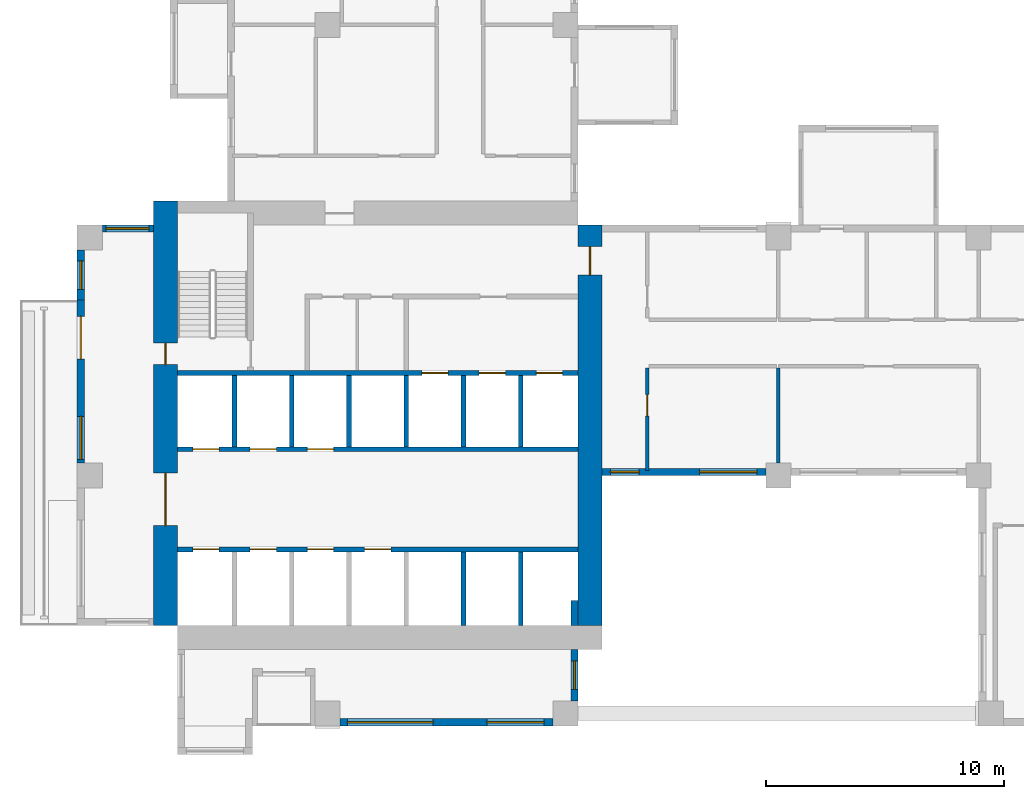
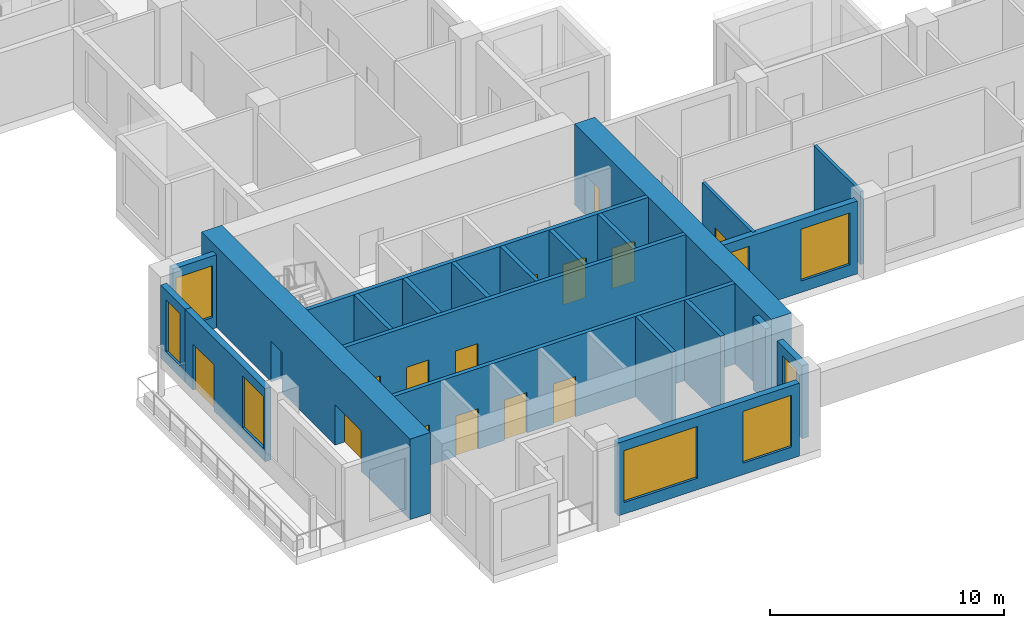
# One storey, part 2 of 14: 22 walls, 15 doors, 8 windows, 23 openings.
"""IFC4 building model written with IfcOpenShell, lengths in metres."""

from ifc_helpers import new_model, si_unit, direction, frame, frame_2d, origin, place, context, subcontext, project, spatial, rectangle, extrude, source, transform, mapped, material, layer, layer_set, type_object, element, fill, save


model = new_model("IFC4")

# Units and contexts
model_context = context("Model", 3, precision=1e-05, world=origin(), true_north=direction((0.0, 1.0)))
body_context = subcontext(model_context, "Body", "Model", "MODEL_VIEW")
ifc_project = project(units=[si_unit("LENGTHUNIT", "METRE"), si_unit("AREAUNIT", "SQUARE_METRE"), si_unit("VOLUMEUNIT", "CUBIC_METRE"), si_unit("PLANEANGLEUNIT", "RADIAN"), si_unit("MASSUNIT", "GRAM", prefix="KILO")], contexts=[model_context])

# Site, building, storey
site_placement = place(None, origin())
site = spatial("IfcSite", under=ifc_project, at=site_placement, CompositionType="ELEMENT")
building_placement = place(site_placement, origin())
building = spatial("IfcBuilding", under=site, at=building_placement, Name="Aurelian Terraces", CompositionType="ELEMENT")
storey_placement = place(building_placement, frame((0.0, 0.0, 153.9)))
storey = spatial("IfcBuildingStorey", under=building, at=storey_placement, Name="L34", CompositionType="ELEMENT", Elevation=153.9)

# Wall, openings, doors
ifc_material_1 = material(Name="Concrete fc' 83 MPa", Category="concrete")
ifc_layer_1 = layer(ifc_material_1, 1.0)
ifc_layer_set_1 = layer_set([ifc_layer_1], Name="CORE WALL 1000 FC83")
wall_type_1 = type_object("IfcWallType", Name="CORE WALL 1000 FC83", PredefinedType="SHEAR", material=ifc_layer_set_1)
shared_shape_1 = source(origin(), body_context, "Body", "SweptSolid", [
    extrude(rectangle(XDim=17.8, YDim=1.0, at=frame_2d((8.9, 0.0))), origin(), (0.0, 0.0, 1.0), 4.2),
])
wall_1_placement = place(storey_placement, frame((3.7, 4.2, 0.0), z_axis=(0.0, 0.0, 1.0), x_axis=(0.0, 1.0, 0.0)))
wall_1 = element("IfcWall", 1, at=wall_1_placement, inside=storey, type_object=wall_type_1, Name="Core wall W L34", PredefinedType="SHEAR", context=body_context, shape_type="MappedRepresentation", body=[
    mapped(shared_shape_1, transform((0.0, 0.0, 0.0), scale=1.0)),
])
shared_shape_2 = source(origin(), body_context, "Body", "SweptSolid", [
    extrude(rectangle(XDim=2.2, YDim=2.1, at=frame_2d((1.1, 1.05))), frame((0.0, 0.51, 0.0), z_axis=(0.0, -1.0, 0.0), x_axis=(1.0, 0.0, 0.0)), (0.0, 0.0, 1.0), 1.02),
])
opening_1_placement = place(wall_1_placement, frame((4.2, 0.0, 0.0)))
opening_1 = element("IfcOpeningElement", 2, at=opening_1_placement, cuts=wall_1, Name="Opening 63720", PredefinedType="OPENING", context=body_context, shape_type="MappedRepresentation", body=[
    mapped(shared_shape_2, transform((0.0, 0.0, 0.0), scale=1.0)),
])
shared_shape_3 = source(origin(), body_context, "Body", "SweptSolid", [
    extrude(rectangle(XDim=0.9, YDim=2.1, at=frame_2d((0.45, 1.05))), frame((0.0, 0.51, 0.0), z_axis=(0.0, -1.0, 0.0), x_axis=(1.0, 0.0, 0.0)), (0.0, 0.0, 1.0), 1.02),
])
opening_2_placement = place(wall_1_placement, frame((10.95, 0.0, 0.0)))
opening_2 = element("IfcOpeningElement", 3, at=opening_2_placement, cuts=wall_1, Name="Opening 63723", PredefinedType="OPENING", context=body_context, shape_type="MappedRepresentation", body=[
    mapped(shared_shape_3, transform((0.0, 0.0, 0.0), scale=1.0)),
])
ifc_material_2 = material(Name="Steel door leaf", Category="steel")
door_type_1 = type_object("IfcDoorType", Name="Core service door 900x2100", OperationType="SINGLE_SWING_LEFT", PredefinedType="DOOR", material=ifc_material_2)
shared_shape_4 = source(origin(), body_context, "Body", "SweptSolid", [
    extrude(rectangle(XDim=0.9, YDim=2.1, at=frame_2d((0.45, 1.05))), frame((0.0, 0.025, 0.0), z_axis=(0.0, -1.0, 0.0), x_axis=(1.0, 0.0, 0.0)), (0.0, 0.0, 1.0), 0.05),
])
door_1_placement = place(opening_2_placement, origin())
door_1 = element("IfcDoor", 4, at=door_1_placement, inside=storey, type_object=door_type_1, Name="Core door 63723", OperationType="SINGLE_SWING_LEFT", OverallHeight=2.1, OverallWidth=0.9, PredefinedType="DOOR", context=body_context, shape_type="MappedRepresentation", body=[
    mapped(shared_shape_4, transform((0.0, 0.0, 0.0), scale=1.0)),
])
fill(opening_2, door_1)
door_type_2 = type_object("IfcDoorType", Name="Core double door 2200x2100", OperationType="DOUBLE_DOOR_SINGLE_SWING", PredefinedType="DOOR", material=ifc_material_2)
shared_shape_5 = source(origin(), body_context, "Body", "SweptSolid", [
    extrude(rectangle(XDim=2.2, YDim=2.1, at=frame_2d((1.1, 1.05))), frame((0.0, 0.025, 0.0), z_axis=(0.0, -1.0, 0.0), x_axis=(1.0, 0.0, 0.0)), (0.0, 0.0, 1.0), 0.05),
])
door_2_placement = place(opening_1_placement, origin())
door_2 = element("IfcDoor", 5, at=door_2_placement, inside=storey, type_object=door_type_2, Name="Core door 63720", OperationType="DOUBLE_DOOR_SINGLE_SWING", OverallHeight=2.1, OverallWidth=2.2, PredefinedType="DOOR", context=body_context, shape_type="MappedRepresentation", body=[
    mapped(shared_shape_5, transform((0.0, 0.0, 0.0), scale=1.0)),
])
fill(opening_1, door_2)

# Wall, opening, door
shared_shape_6 = source(origin(), body_context, "Body", "SweptSolid", [
    extrude(rectangle(XDim=16.8, YDim=1.0, at=frame_2d((8.4, 0.0))), origin(), (0.0, 0.0, 1.0), 4.2),
])
wall_2_placement = place(storey_placement, frame((21.5, 4.2, 0.0), z_axis=(0.0, 0.0, 1.0), x_axis=(0.0, 1.0, 0.0)))
wall_2 = element("IfcWall", 6, at=wall_2_placement, inside=storey, type_object=wall_type_1, Name="Core wall E L34", PredefinedType="SHEAR", context=body_context, shape_type="MappedRepresentation", body=[
    mapped(shared_shape_6, transform((0.0, 0.0, 0.0), scale=1.0)),
])
shared_shape_7 = source(origin(), body_context, "Body", "SweptSolid", [
    extrude(rectangle(XDim=1.2, YDim=2.1, at=frame_2d((0.6, 1.05))), frame((0.0, 0.51, 0.0), z_axis=(0.0, -1.0, 0.0), x_axis=(1.0, 0.0, 0.0)), (0.0, 0.0, 1.0), 1.02),
])
opening_3_placement = place(wall_2_placement, frame((14.7, 0.0, 0.0)))
opening_3 = element("IfcOpeningElement", 7, at=opening_3_placement, cuts=wall_2, Name="Opening 63722", PredefinedType="OPENING", context=body_context, shape_type="MappedRepresentation", body=[
    mapped(shared_shape_7, transform((0.0, 0.0, 0.0), scale=1.0)),
])
door_type_3 = type_object("IfcDoorType", Name="Core fire door 1200x2100 right", OperationType="SINGLE_SWING_RIGHT", PredefinedType="DOOR", material=ifc_material_2)
shared_shape_8 = source(origin(), body_context, "Body", "SweptSolid", [
    extrude(rectangle(XDim=1.2, YDim=2.1, at=frame_2d((0.6, 1.05))), frame((0.0, 0.025, 0.0), z_axis=(0.0, -1.0, 0.0), x_axis=(1.0, 0.0, 0.0)), (0.0, 0.0, 1.0), 0.05),
])
door_3_placement = place(opening_3_placement, origin())
door_3 = element("IfcDoor", 8, at=door_3_placement, inside=storey, type_object=door_type_3, Name="Core door 63722", OperationType="SINGLE_SWING_RIGHT", OverallHeight=2.1, OverallWidth=1.2, PredefinedType="DOOR", context=body_context, shape_type="MappedRepresentation", body=[
    mapped(shared_shape_8, transform((0.0, 0.0, 0.0), scale=1.0)),
])
fill(opening_3, door_3)

# Wall
ifc_material_3 = material(Name="Terracotta rainscreen cladding", Category="masonry")
ifc_layer_2 = layer(ifc_material_3, 0.3)
ifc_layer_set_2 = layer_set([ifc_layer_2], Name="EW-300")
wall_type_2 = type_object("IfcWallType", Name="EW-300", PredefinedType="STANDARD", material=ifc_layer_set_2)
shared_shape_9 = source(origin(), body_context, "Body", "SweptSolid", [
    extrude(rectangle(XDim=1.05, YDim=0.3, at=frame_2d((0.525, 0.0))), origin(), (0.0, 0.0, 1.0), 3.8),
])
wall_3_placement = place(storey_placement, frame((20.85, 4.2, 0.0), z_axis=(0.0, 0.0, 1.0), x_axis=(0.0, 1.0, 0.0)))
element("IfcWall", 9, at=wall_3_placement, inside=storey, type_object=wall_type_2, Name="External wall L34 F02.4", PredefinedType="STANDARD", context=body_context, shape_type="MappedRepresentation", body=[
    mapped(shared_shape_9, transform((0.0, 0.0, 0.0), scale=1.0)),
])

# Wall, openings, windows
shared_shape_10 = source(origin(), body_context, "Body", "SweptSolid", [
    extrude(rectangle(XDim=8.925, YDim=0.3, at=frame_2d((4.4625, 0.0))), origin(), (0.0, 0.0, 1.0), 3.8),
])
wall_4_placement = place(storey_placement, frame((11.025, 0.15, 0.0), z_axis=(0.0, 0.0, 1.0), x_axis=(1.0, 0.0, 0.0)))
wall_4 = element("IfcWall", 10, at=wall_4_placement, inside=storey, type_object=wall_type_2, Name="External wall L34 F01.3", PredefinedType="STANDARD", context=body_context, shape_type="MappedRepresentation", body=[
    mapped(shared_shape_10, transform((0.0, 0.0, 0.0), scale=1.0)),
])
shared_shape_11 = source(origin(), body_context, "Body", "SweptSolid", [
    extrude(rectangle(XDim=3.6, YDim=2.7, at=frame_2d((1.8, 1.35))), frame((0.0, 0.16, 0.0), z_axis=(0.0, -1.0, 0.0), x_axis=(1.0, 0.0, 0.0)), (0.0, 0.0, 1.0), 0.32),
])
opening_4_placement = place(wall_4_placement, frame((0.3, 0.0, 0.6)))
opening_4 = element("IfcOpeningElement", 11, at=opening_4_placement, cuts=wall_4, Name="Opening W3627", PredefinedType="OPENING", context=body_context, shape_type="MappedRepresentation", body=[
    mapped(shared_shape_11, transform((0.0, 0.0, 0.0), scale=1.0)),
])
shared_shape_12 = source(origin(), body_context, "Body", "SweptSolid", [
    extrude(rectangle(XDim=2.4, YDim=2.7, at=frame_2d((1.2, 1.35))), frame((0.0, 0.16, 0.0), z_axis=(0.0, -1.0, 0.0), x_axis=(1.0, 0.0, 0.0)), (0.0, 0.0, 1.0), 0.32),
])
opening_5_placement = place(wall_4_placement, frame((6.15, 0.0, 0.6)))
opening_5 = element("IfcOpeningElement", 12, at=opening_5_placement, cuts=wall_4, Name="Opening W2427", PredefinedType="OPENING", context=body_context, shape_type="MappedRepresentation", body=[
    mapped(shared_shape_12, transform((0.0, 0.0, 0.0), scale=1.0)),
])
ifc_material_4 = material(Name="Clear glazing", Category="glass")
window_type_1 = type_object("IfcWindowType", Name="W-3600x2700", PartitioningType="SINGLE_PANEL", PredefinedType="WINDOW", material=ifc_material_4)
shared_shape_13 = source(origin(), body_context, "Body", "SweptSolid", [
    extrude(rectangle(XDim=3.6, YDim=2.7, at=frame_2d((1.8, 1.35))), frame((0.0, 0.03, 0.0), z_axis=(0.0, -1.0, 0.0), x_axis=(1.0, 0.0, 0.0)), (0.0, 0.0, 1.0), 0.06),
])
window_1_placement = place(opening_4_placement, origin())
window_1 = element("IfcWindow", 13, at=window_1_placement, inside=storey, type_object=window_type_1, Name="Window L34 L34-F01-03-0", OverallHeight=2.7, OverallWidth=3.6, PartitioningType="SINGLE_PANEL", PredefinedType="WINDOW", context=body_context, shape_type="MappedRepresentation", body=[
    mapped(shared_shape_13, transform((0.0, 0.0, 0.0), scale=1.0)),
])
fill(opening_4, window_1)
window_type_2 = type_object("IfcWindowType", Name="W-2400x2700", PartitioningType="SINGLE_PANEL", PredefinedType="WINDOW", material=ifc_material_4)
shared_shape_14 = source(origin(), body_context, "Body", "SweptSolid", [
    extrude(rectangle(XDim=2.4, YDim=2.7, at=frame_2d((1.2, 1.35))), frame((0.0, 0.03, 0.0), z_axis=(0.0, -1.0, 0.0), x_axis=(1.0, 0.0, 0.0)), (0.0, 0.0, 1.0), 0.06),
])
window_2_placement = place(opening_5_placement, origin())
window_2 = element("IfcWindow", 14, at=window_2_placement, inside=storey, type_object=window_type_2, Name="Window L34 L34-F01-03-1", OverallHeight=2.7, OverallWidth=2.4, PartitioningType="SINGLE_PANEL", PredefinedType="WINDOW", context=body_context, shape_type="MappedRepresentation", body=[
    mapped(shared_shape_14, transform((0.0, 0.0, 0.0), scale=1.0)),
])
fill(opening_5, window_2)

shared_shape_15 = source(origin(), body_context, "Body", "SweptSolid", [
    extrude(rectangle(XDim=6.875, YDim=0.3, at=frame_2d((3.4375, 0.0))), origin(), (0.0, 0.0, 1.0), 3.8),
])
wall_5_placement = place(storey_placement, frame((22.0, 10.65, 0.0), z_axis=(0.0, 0.0, 1.0), x_axis=(1.0, 0.0, 0.0)))
wall_5 = element("IfcWall", 15, at=wall_5_placement, inside=storey, type_object=wall_type_2, Name="External wall L34 F03.6", PredefinedType="STANDARD", context=body_context, shape_type="MappedRepresentation", body=[
    mapped(shared_shape_15, transform((0.0, 0.0, 0.0), scale=1.0)),
])
shared_shape_16 = source(origin(), body_context, "Body", "SweptSolid", [
    extrude(rectangle(XDim=1.2, YDim=2.7, at=frame_2d((0.6, 1.35))), frame((0.0, 0.16, 0.0), z_axis=(0.0, -1.0, 0.0), x_axis=(1.0, 0.0, 0.0)), (0.0, 0.0, 1.0), 0.32),
])
opening_6_placement = place(wall_5_placement, frame((0.3625, 0.0, 0.6)))
opening_6 = element("IfcOpeningElement", 16, at=opening_6_placement, cuts=wall_5, Name="Opening W1227", PredefinedType="OPENING", context=body_context, shape_type="MappedRepresentation", body=[
    mapped(shared_shape_16, transform((0.0, 0.0, 0.0), scale=1.0)),
])
opening_7_placement = place(wall_5_placement, frame((4.1, 0.0, 0.6)))
opening_7 = element("IfcOpeningElement", 17, at=opening_7_placement, cuts=wall_5, Name="Opening W2427", PredefinedType="OPENING", context=body_context, shape_type="MappedRepresentation", body=[
    mapped(shared_shape_12, transform((0.0, 0.0, 0.0), scale=1.0)),
])
window_3_placement = place(opening_7_placement, origin())
window_3 = element("IfcWindow", 18, at=window_3_placement, inside=storey, type_object=window_type_2, Name="Window L34 L34-F03-06-1", OverallHeight=2.7, OverallWidth=2.4, PartitioningType="SINGLE_PANEL", PredefinedType="WINDOW", context=body_context, shape_type="MappedRepresentation", body=[
    mapped(shared_shape_14, transform((0.0, 0.0, 0.0), scale=1.0)),
])
fill(opening_7, window_3)
window_type_3 = type_object("IfcWindowType", Name="W-1200x2700", PartitioningType="SINGLE_PANEL", PredefinedType="WINDOW", material=ifc_material_4)
shared_shape_17 = source(origin(), body_context, "Body", "SweptSolid", [
    extrude(rectangle(XDim=1.2, YDim=2.7, at=frame_2d((0.6, 1.35))), frame((0.0, 0.03, 0.0), z_axis=(0.0, -1.0, 0.0), x_axis=(1.0, 0.0, 0.0)), (0.0, 0.0, 1.0), 0.06),
])
window_4_placement = place(opening_6_placement, origin())
window_4 = element("IfcWindow", 19, at=window_4_placement, inside=storey, type_object=window_type_3, Name="Window L34 L34-F03-06-0", OverallHeight=2.7, OverallWidth=1.2, PartitioningType="SINGLE_PANEL", PredefinedType="WINDOW", context=body_context, shape_type="MappedRepresentation", body=[
    mapped(shared_shape_17, transform((0.0, 0.0, 0.0), scale=1.0)),
])
fill(opening_6, window_4)

# Wall, opening, window
shared_shape_18 = source(origin(), body_context, "Body", "SweptSolid", [
    extrude(rectangle(XDim=2.15, YDim=0.3, at=frame_2d((1.075, 0.0))), origin(), (0.0, 0.0, 1.0), 3.8),
])
wall_6_placement = place(storey_placement, frame((20.85, 1.05, 0.0), z_axis=(0.0, 0.0, 1.0), x_axis=(0.0, 1.0, 0.0)))
wall_6 = element("IfcWall", 20, at=wall_6_placement, inside=storey, type_object=wall_type_2, Name="External wall L34 F02.4", PredefinedType="STANDARD", context=body_context, shape_type="MappedRepresentation", body=[
    mapped(shared_shape_18, transform((0.0, 0.0, 0.0), scale=1.0)),
])
opening_8_placement = place(wall_6_placement, frame((0.475, 0.0, 0.6)))
opening_8 = element("IfcOpeningElement", 21, at=opening_8_placement, cuts=wall_6, Name="Opening W1227", PredefinedType="OPENING", context=body_context, shape_type="MappedRepresentation", body=[
    mapped(shared_shape_16, transform((0.0, 0.0, 0.0), scale=1.0)),
])
window_5_placement = place(opening_8_placement, origin())
window_5 = element("IfcWindow", 22, at=window_5_placement, inside=storey, type_object=window_type_3, Name="Window L34 L34-F02-04-P0", OverallHeight=2.7, OverallWidth=1.2, PartitioningType="SINGLE_PANEL", PredefinedType="WINDOW", context=body_context, shape_type="MappedRepresentation", body=[
    mapped(shared_shape_17, transform((0.0, 0.0, 0.0), scale=1.0)),
])
fill(opening_8, window_5)

wall_7_placement = place(storey_placement, frame((3.2, 20.85, 0.0), z_axis=(0.0, 0.0, 1.0), x_axis=(-1.0, 0.0, 0.0)))
wall_7 = element("IfcWall", 23, at=wall_7_placement, inside=storey, type_object=wall_type_2, Name="External wall L34 F23.41", PredefinedType="STANDARD", context=body_context, shape_type="MappedRepresentation", body=[
    mapped(shared_shape_18, transform((0.0, 0.0, 0.0), scale=1.0)),
])
shared_shape_19 = source(origin(), body_context, "Body", "SweptSolid", [
    extrude(rectangle(XDim=1.8, YDim=2.7, at=frame_2d((0.9, 1.35))), frame((0.0, 0.16, 0.0), z_axis=(0.0, -1.0, 0.0), x_axis=(1.0, 0.0, 0.0)), (0.0, 0.0, 1.0), 0.32),
])
opening_9_placement = place(wall_7_placement, frame((0.2, 0.0, 0.6)))
opening_9 = element("IfcOpeningElement", 24, at=opening_9_placement, cuts=wall_7, Name="Opening W1827", PredefinedType="OPENING", context=body_context, shape_type="MappedRepresentation", body=[
    mapped(shared_shape_19, transform((0.0, 0.0, 0.0), scale=1.0)),
])
window_type_4 = type_object("IfcWindowType", Name="W-1800x2700", PartitioningType="SINGLE_PANEL", PredefinedType="WINDOW", material=ifc_material_4)
shared_shape_20 = source(origin(), body_context, "Body", "SweptSolid", [
    extrude(rectangle(XDim=1.8, YDim=2.7, at=frame_2d((0.9, 1.35))), frame((0.0, 0.03, 0.0), z_axis=(0.0, -1.0, 0.0), x_axis=(1.0, 0.0, 0.0)), (0.0, 0.0, 1.0), 0.06),
])
window_6_placement = place(opening_9_placement, origin())
window_6 = element("IfcWindow", 25, at=window_6_placement, inside=storey, type_object=window_type_4, Name="Window L34 L34-F23-41-0", OverallHeight=2.7, OverallWidth=1.8, PartitioningType="SINGLE_PANEL", PredefinedType="WINDOW", context=body_context, shape_type="MappedRepresentation", body=[
    mapped(shared_shape_20, transform((0.0, 0.0, 0.0), scale=1.0)),
])
fill(opening_9, window_6)

shared_shape_21 = source(origin(), body_context, "Body", "SweptSolid", [
    extrude(rectangle(XDim=2.1, YDim=0.3, at=frame_2d((1.05, 0.0))), origin(), (0.0, 0.0, 1.0), 3.8),
])
wall_8_placement = place(storey_placement, frame((0.15, 19.95, 0.0), z_axis=(0.0, 0.0, 1.0), x_axis=(0.0, -1.0, 0.0)))
wall_8 = element("IfcWall", 26, at=wall_8_placement, inside=storey, type_object=wall_type_2, Name="External wall L34 F24.42", PredefinedType="STANDARD", context=body_context, shape_type="MappedRepresentation", body=[
    mapped(shared_shape_21, transform((0.0, 0.0, 0.0), scale=1.0)),
])
opening_10_placement = place(wall_8_placement, frame((0.45, 0.0, 0.6)))
opening_10 = element("IfcOpeningElement", 27, at=opening_10_placement, cuts=wall_8, Name="Opening W1227", PredefinedType="OPENING", context=body_context, shape_type="MappedRepresentation", body=[
    mapped(shared_shape_16, transform((0.0, 0.0, 0.0), scale=1.0)),
])
window_7_placement = place(opening_10_placement, origin())
window_7 = element("IfcWindow", 28, at=window_7_placement, inside=storey, type_object=window_type_3, Name="Window L34 L34-F24-42-P0", OverallHeight=2.7, OverallWidth=1.2, PartitioningType="SINGLE_PANEL", PredefinedType="WINDOW", context=body_context, shape_type="MappedRepresentation", body=[
    mapped(shared_shape_17, transform((0.0, 0.0, 0.0), scale=1.0)),
])
fill(opening_10, window_7)

# Wall, openings, door, window
shared_shape_22 = source(origin(), body_context, "Body", "SweptSolid", [
    extrude(rectangle(XDim=6.825, YDim=0.3, at=frame_2d((3.4125, 0.0))), origin(), (0.0, 0.0, 1.0), 3.8),
])
wall_9_placement = place(storey_placement, frame((0.15, 17.85, 0.0), z_axis=(0.0, 0.0, 1.0), x_axis=(0.0, -1.0, 0.0)))
wall_9 = element("IfcWall", 29, at=wall_9_placement, inside=storey, type_object=wall_type_2, Name="External wall L34 F24.43", PredefinedType="STANDARD", context=body_context, shape_type="MappedRepresentation", body=[
    mapped(shared_shape_22, transform((0.0, 0.0, 0.0), scale=1.0)),
])
shared_shape_23 = source(origin(), body_context, "Body", "SweptSolid", [
    extrude(rectangle(XDim=1.8, YDim=2.4, at=frame_2d((0.9, 1.2))), frame((0.0, 0.16, 0.0), z_axis=(0.0, -1.0, 0.0), x_axis=(1.0, 0.0, 0.0)), (0.0, 0.0, 1.0), 0.32),
])
opening_11_placement = place(wall_9_placement, frame((0.675, 0.0, 0.0)))
opening_11 = element("IfcOpeningElement", 30, at=opening_11_placement, cuts=wall_9, Name="Opening 83403", PredefinedType="OPENING", context=body_context, shape_type="MappedRepresentation", body=[
    mapped(shared_shape_23, transform((0.0, 0.0, 0.0), scale=1.0)),
])
opening_12_placement = place(wall_9_placement, frame((4.875, 0.0, 0.6)))
opening_12 = element("IfcOpeningElement", 31, at=opening_12_placement, cuts=wall_9, Name="Opening W1827", PredefinedType="OPENING", context=body_context, shape_type="MappedRepresentation", body=[
    mapped(shared_shape_19, transform((0.0, 0.0, 0.0), scale=1.0)),
])
door_type_4 = type_object("IfcDoorType", Name="BD-1800x2400", OperationType="SLIDING_TO_LEFT", PredefinedType="DOOR", material=ifc_material_4)
shared_shape_24 = source(origin(), body_context, "Body", "SweptSolid", [
    extrude(rectangle(XDim=1.8, YDim=2.4, at=frame_2d((0.9, 1.2))), frame((0.0, 0.025, 0.0), z_axis=(0.0, -1.0, 0.0), x_axis=(1.0, 0.0, 0.0)), (0.0, 0.0, 1.0), 0.05),
])
door_4_placement = place(opening_11_placement, origin())
door_4 = element("IfcDoor", 32, at=door_4_placement, inside=storey, type_object=door_type_4, Name="Balcony door L34 F24.43", OperationType="SLIDING_TO_LEFT", OverallHeight=2.4, OverallWidth=1.8, PredefinedType="DOOR", context=body_context, shape_type="MappedRepresentation", body=[
    mapped(shared_shape_24, transform((0.0, 0.0, 0.0), scale=1.0)),
])
fill(opening_11, door_4)
window_8_placement = place(opening_12_placement, origin())
window_8 = element("IfcWindow", 33, at=window_8_placement, inside=storey, type_object=window_type_4, Name="Window L34 L34-F24-43-1", OverallHeight=2.7, OverallWidth=1.8, PartitioningType="SINGLE_PANEL", PredefinedType="WINDOW", context=body_context, shape_type="MappedRepresentation", body=[
    mapped(shared_shape_20, transform((0.0, 0.0, 0.0), scale=1.0)),
])
fill(opening_12, window_8)

# Walls
ifc_material_5 = material(Name="Concrete fc' 40 MPa", Category="concrete")
ifc_layer_3 = layer(ifc_material_5, 0.2)
ifc_layer_set_3 = layer_set([ifc_layer_3], Name="Lift shaft wall 200")
wall_type_3 = type_object("IfcWallType", Name="Lift shaft wall 200", PredefinedType="SOLIDWALL", material=ifc_layer_set_3)
shared_shape_25 = source(origin(), body_context, "Body", "SweptSolid", [
    extrude(rectangle(XDim=3.1, YDim=0.2, at=frame_2d((1.55, 0.0))), origin(), (0.0, 0.0, 1.0), 4.2),
])
for number, where, z_axis, x_axis, name in (
    (34, (16.2, 4.2, 0.0), (0.0, 0.0, 1.0), (0.0, 1.0, 0.0), "L34 core wall CD-A5"),
    (35, (18.6, 4.2, 0.0), (0.0, 0.0, 1.0), (0.0, 1.0, 0.0), "L34 core wall CD-A6"),
):
    element("IfcWall", number, at=place(storey_placement, frame(where, z_axis=z_axis, x_axis=x_axis)), inside=storey, type_object=wall_type_3, Name=name, PredefinedType="SOLIDWALL", context=body_context, shape_type="MappedRepresentation", body=[
        mapped(shared_shape_25, transform((0.0, 0.0, 0.0), scale=1.0)),
    ])
shared_shape_26 = source(origin(), body_context, "Body", "SweptSolid", [
    extrude(rectangle(XDim=3.0, YDim=0.2, at=frame_2d((1.5, 0.0))), origin(), (0.0, 0.0, 1.0), 4.2),
])
for number, where, z_axis, x_axis, name in (
    (36, (6.6, 11.7, 0.0), (0.0, 0.0, 1.0), (0.0, 1.0, 0.0), "L34 core wall CD-B1"),
    (37, (9.0, 11.7, 0.0), (0.0, 0.0, 1.0), (0.0, 1.0, 0.0), "L34 core wall CD-B2"),
    (38, (11.4, 11.7, 0.0), (0.0, 0.0, 1.0), (0.0, 1.0, 0.0), "L34 core wall CD-B3"),
    (39, (13.8, 11.7, 0.0), (0.0, 0.0, 1.0), (0.0, 1.0, 0.0), "L34 core wall CD-B4"),
    (40, (16.2, 11.7, 0.0), (0.0, 0.0, 1.0), (0.0, 1.0, 0.0), "L34 core wall CD-B5"),
    (41, (18.6, 11.7, 0.0), (0.0, 0.0, 1.0), (0.0, 1.0, 0.0), "L34 core wall CD-B6"),
):
    element("IfcWall", number, at=place(storey_placement, frame(where, z_axis=z_axis, x_axis=x_axis)), inside=storey, type_object=wall_type_3, Name=name, PredefinedType="SOLIDWALL", context=body_context, shape_type="MappedRepresentation", body=[
        mapped(shared_shape_26, transform((0.0, 0.0, 0.0), scale=1.0)),
    ])

# Wall, openings, doors
shared_shape_27 = source(origin(), body_context, "Body", "SweptSolid", [
    extrude(rectangle(XDim=16.8, YDim=0.2, at=frame_2d((8.4, 0.0))), origin(), (0.0, 0.0, 1.0), 4.2),
])
wall_10_placement = place(storey_placement, frame((4.2, 7.4, 0.0), z_axis=(0.0, 0.0, 1.0), x_axis=(1.0, 0.0, 0.0)))
wall_10 = element("IfcWall", 42, at=wall_10_placement, inside=storey, type_object=wall_type_3, Name="L34 core wall CF-AF1", PredefinedType="SOLIDWALL", context=body_context, shape_type="MappedRepresentation", body=[
    mapped(shared_shape_27, transform((0.0, 0.0, 0.0), scale=1.0)),
])
shared_shape_28 = source(origin(), body_context, "Body", "SweptSolid", [
    extrude(rectangle(XDim=1.1, YDim=2.1, at=frame_2d((0.55, 1.05))), frame((0.0, 0.11, 0.0), z_axis=(0.0, -1.0, 0.0), x_axis=(1.0, 0.0, 0.0)), (0.0, 0.0, 1.0), 0.22),
])
opening_13_placement = place(wall_10_placement, frame((0.65, 0.0, 0.0)))
opening_13 = element("IfcOpeningElement", 43, at=opening_13_placement, cuts=wall_10, Name="Opening 63700", PredefinedType="OPENING", context=body_context, shape_type="MappedRepresentation", body=[
    mapped(shared_shape_28, transform((0.0, 0.0, 0.0), scale=1.0)),
])
opening_14_placement = place(wall_10_placement, frame((3.05, 0.0, 0.0)))
opening_14 = element("IfcOpeningElement", 44, at=opening_14_placement, cuts=wall_10, Name="Opening 63701", PredefinedType="OPENING", context=body_context, shape_type="MappedRepresentation", body=[
    mapped(shared_shape_28, transform((0.0, 0.0, 0.0), scale=1.0)),
])
opening_15_placement = place(wall_10_placement, frame((5.45, 0.0, 0.0)))
opening_15 = element("IfcOpeningElement", 45, at=opening_15_placement, cuts=wall_10, Name="Opening 63702", PredefinedType="OPENING", context=body_context, shape_type="MappedRepresentation", body=[
    mapped(shared_shape_28, transform((0.0, 0.0, 0.0), scale=1.0)),
])
opening_16_placement = place(wall_10_placement, frame((7.85, 0.0, 0.0)))
opening_16 = element("IfcOpeningElement", 46, at=opening_16_placement, cuts=wall_10, Name="Opening 63703", PredefinedType="OPENING", context=body_context, shape_type="MappedRepresentation", body=[
    mapped(shared_shape_28, transform((0.0, 0.0, 0.0), scale=1.0)),
])
ifc_material_6 = material(Name="Stainless steel", Category="steel")
door_type_5 = type_object("IfcDoorType", Name="Lift landing door 1100x2100", OperationType="SLIDING_TO_LEFT", PredefinedType="DOOR", material=ifc_material_6)
shared_shape_29 = source(origin(), body_context, "Body", "SweptSolid", [
    extrude(rectangle(XDim=1.1, YDim=2.1, at=frame_2d((0.55, 1.05))), frame((0.0, 0.025, 0.0), z_axis=(0.0, -1.0, 0.0), x_axis=(1.0, 0.0, 0.0)), (0.0, 0.0, 1.0), 0.05),
])
door_5_placement = place(opening_13_placement, origin())
door_5 = element("IfcDoor", 47, at=door_5_placement, inside=storey, type_object=door_type_5, Name="Lift landing door LL1 L34", OperationType="SLIDING_TO_LEFT", OverallHeight=2.1, OverallWidth=1.1, PredefinedType="DOOR", context=body_context, shape_type="MappedRepresentation", body=[
    mapped(shared_shape_29, transform((0.0, 0.0, 0.0), scale=1.0)),
])
fill(opening_13, door_5)
door_6_placement = place(opening_14_placement, origin())
door_6 = element("IfcDoor", 48, at=door_6_placement, inside=storey, type_object=door_type_5, Name="Lift landing door LL2 L34", OperationType="SLIDING_TO_LEFT", OverallHeight=2.1, OverallWidth=1.1, PredefinedType="DOOR", context=body_context, shape_type="MappedRepresentation", body=[
    mapped(shared_shape_29, transform((0.0, 0.0, 0.0), scale=1.0)),
])
fill(opening_14, door_6)
door_7_placement = place(opening_15_placement, origin())
door_7 = element("IfcDoor", 49, at=door_7_placement, inside=storey, type_object=door_type_5, Name="Lift landing door LL3 L34", OperationType="SLIDING_TO_LEFT", OverallHeight=2.1, OverallWidth=1.1, PredefinedType="DOOR", context=body_context, shape_type="MappedRepresentation", body=[
    mapped(shared_shape_29, transform((0.0, 0.0, 0.0), scale=1.0)),
])
fill(opening_15, door_7)
door_8_placement = place(opening_16_placement, origin())
door_8 = element("IfcDoor", 50, at=door_8_placement, inside=storey, type_object=door_type_5, Name="Lift landing door LL4 L34", OperationType="SLIDING_TO_LEFT", OverallHeight=2.1, OverallWidth=1.1, PredefinedType="DOOR", context=body_context, shape_type="MappedRepresentation", body=[
    mapped(shared_shape_29, transform((0.0, 0.0, 0.0), scale=1.0)),
])
fill(opening_16, door_8)

wall_11_placement = place(storey_placement, frame((4.2, 11.6, 0.0), z_axis=(0.0, 0.0, 1.0), x_axis=(1.0, 0.0, 0.0)))
wall_11 = element("IfcWall", 51, at=wall_11_placement, inside=storey, type_object=wall_type_3, Name="L34 core wall CF-BF1", PredefinedType="SOLIDWALL", context=body_context, shape_type="MappedRepresentation", body=[
    mapped(shared_shape_27, transform((0.0, 0.0, 0.0), scale=1.0)),
])
opening_17_placement = place(wall_11_placement, frame((0.65, 0.0, 0.0)))
opening_17 = element("IfcOpeningElement", 52, at=opening_17_placement, cuts=wall_11, Name="Opening 63704", PredefinedType="OPENING", context=body_context, shape_type="MappedRepresentation", body=[
    mapped(shared_shape_28, transform((0.0, 0.0, 0.0), scale=1.0)),
])
opening_18_placement = place(wall_11_placement, frame((3.05, 0.0, 0.0)))
opening_18 = element("IfcOpeningElement", 53, at=opening_18_placement, cuts=wall_11, Name="Opening 63705", PredefinedType="OPENING", context=body_context, shape_type="MappedRepresentation", body=[
    mapped(shared_shape_28, transform((0.0, 0.0, 0.0), scale=1.0)),
])
opening_19_placement = place(wall_11_placement, frame((5.45, 0.0, 0.0)))
opening_19 = element("IfcOpeningElement", 54, at=opening_19_placement, cuts=wall_11, Name="Opening 63706", PredefinedType="OPENING", context=body_context, shape_type="MappedRepresentation", body=[
    mapped(shared_shape_28, transform((0.0, 0.0, 0.0), scale=1.0)),
])
door_9_placement = place(opening_17_placement, origin())
door_9 = element("IfcDoor", 55, at=door_9_placement, inside=storey, type_object=door_type_5, Name="Lift landing door LL5 L34", OperationType="SLIDING_TO_LEFT", OverallHeight=2.1, OverallWidth=1.1, PredefinedType="DOOR", context=body_context, shape_type="MappedRepresentation", body=[
    mapped(shared_shape_29, transform((0.0, 0.0, 0.0), scale=1.0)),
])
fill(opening_17, door_9)
door_10_placement = place(opening_18_placement, origin())
door_10 = element("IfcDoor", 56, at=door_10_placement, inside=storey, type_object=door_type_5, Name="Lift landing door LL6 L34", OperationType="SLIDING_TO_LEFT", OverallHeight=2.1, OverallWidth=1.1, PredefinedType="DOOR", context=body_context, shape_type="MappedRepresentation", body=[
    mapped(shared_shape_29, transform((0.0, 0.0, 0.0), scale=1.0)),
])
fill(opening_18, door_10)
door_11_placement = place(opening_19_placement, origin())
door_11 = element("IfcDoor", 57, at=door_11_placement, inside=storey, type_object=door_type_5, Name="Lift landing door LL7 L34", OperationType="SLIDING_TO_LEFT", OverallHeight=2.1, OverallWidth=1.1, PredefinedType="DOOR", context=body_context, shape_type="MappedRepresentation", body=[
    mapped(shared_shape_29, transform((0.0, 0.0, 0.0), scale=1.0)),
])
fill(opening_19, door_11)

wall_12_placement = place(storey_placement, frame((4.2, 14.8, 0.0), z_axis=(0.0, 0.0, 1.0), x_axis=(1.0, 0.0, 0.0)))
wall_12 = element("IfcWall", 58, at=wall_12_placement, inside=storey, type_object=wall_type_3, Name="L34 core wall CF-BB1", PredefinedType="SOLIDWALL", context=body_context, shape_type="MappedRepresentation", body=[
    mapped(shared_shape_27, transform((0.0, 0.0, 0.0), scale=1.0)),
])
opening_20_placement = place(wall_12_placement, frame((10.25, 0.0, 0.0)))
opening_20 = element("IfcOpeningElement", 59, at=opening_20_placement, cuts=wall_12, Name="Opening 63707", PredefinedType="OPENING", context=body_context, shape_type="MappedRepresentation", body=[
    mapped(shared_shape_28, transform((0.0, 0.0, 0.0), scale=1.0)),
])
opening_21_placement = place(wall_12_placement, frame((12.65, 0.0, 0.0)))
opening_21 = element("IfcOpeningElement", 60, at=opening_21_placement, cuts=wall_12, Name="Opening 63708", PredefinedType="OPENING", context=body_context, shape_type="MappedRepresentation", body=[
    mapped(shared_shape_28, transform((0.0, 0.0, 0.0), scale=1.0)),
])
opening_22_placement = place(wall_12_placement, frame((15.05, 0.0, 0.0)))
opening_22 = element("IfcOpeningElement", 61, at=opening_22_placement, cuts=wall_12, Name="Opening 63709", PredefinedType="OPENING", context=body_context, shape_type="MappedRepresentation", body=[
    mapped(shared_shape_28, transform((0.0, 0.0, 0.0), scale=1.0)),
])
door_12_placement = place(opening_20_placement, origin())
door_12 = element("IfcDoor", 62, at=door_12_placement, inside=storey, type_object=door_type_5, Name="Lift landing door F1 L34", OperationType="SLIDING_TO_LEFT", OverallHeight=2.1, OverallWidth=1.1, PredefinedType="DOOR", context=body_context, shape_type="MappedRepresentation", body=[
    mapped(shared_shape_29, transform((0.0, 0.0, 0.0), scale=1.0)),
])
fill(opening_20, door_12)
door_13_placement = place(opening_21_placement, origin())
door_13 = element("IfcDoor", 63, at=door_13_placement, inside=storey, type_object=door_type_5, Name="Lift landing door F2 L34", OperationType="SLIDING_TO_LEFT", OverallHeight=2.1, OverallWidth=1.1, PredefinedType="DOOR", context=body_context, shape_type="MappedRepresentation", body=[
    mapped(shared_shape_29, transform((0.0, 0.0, 0.0), scale=1.0)),
])
fill(opening_21, door_13)
door_14_placement = place(opening_22_placement, origin())
door_14 = element("IfcDoor", 64, at=door_14_placement, inside=storey, type_object=door_type_5, Name="Lift landing door F3 L34", OperationType="SLIDING_TO_LEFT", OverallHeight=2.1, OverallWidth=1.1, PredefinedType="DOOR", context=body_context, shape_type="MappedRepresentation", body=[
    mapped(shared_shape_29, transform((0.0, 0.0, 0.0), scale=1.0)),
])
fill(opening_22, door_14)

# Wall, opening, door
ifc_material_7 = material(Name="Gypsum board on steel studs", Category="steel")
ifc_layer_4 = layer(ifc_material_7, 0.15)
ifc_layer_set_4 = layer_set([ifc_layer_4], Name="Partition 150")
wall_type_4 = type_object("IfcWallType", Name="Partition 150", PredefinedType="PARTITIONING", material=ifc_layer_set_4)
shared_shape_30 = source(origin(), body_context, "Body", "SweptSolid", [
    extrude(rectangle(XDim=4.295, YDim=0.15, at=frame_2d((2.1475, 0.0))), origin(), (0.0, 0.0, 1.0), 3.8),
])
wall_13_placement = place(storey_placement, frame((23.9, 15.0, 0.0), z_axis=(0.0, 0.0, 1.0), x_axis=(0.0, -1.0, 0.0)))
wall_13 = element("IfcWall", 65, at=wall_13_placement, inside=storey, type_object=wall_type_4, Name="Partition", PredefinedType="PARTITIONING", context=body_context, shape_type="MappedRepresentation", body=[
    mapped(shared_shape_30, transform((0.0, 0.0, 0.0), scale=1.0)),
])
shared_shape_31 = source(origin(), body_context, "Body", "SweptSolid", [
    extrude(rectangle(XDim=0.9, YDim=2.1, at=frame_2d((0.45, 1.05))), frame((0.0, 0.085, 0.0), z_axis=(0.0, -1.0, 0.0), x_axis=(1.0, 0.0, 0.0)), (0.0, 0.0, 1.0), 0.17),
])
opening_23_placement = place(wall_13_placement, frame((1.1125, 0.0, 0.0)))
opening_23 = element("IfcOpeningElement", 66, at=opening_23_placement, cuts=wall_13, Name="Opening 734001", PredefinedType="OPENING", context=body_context, shape_type="MappedRepresentation", body=[
    mapped(shared_shape_31, transform((0.0, 0.0, 0.0), scale=1.0)),
])
ifc_material_8 = material(Name="Timber door leaf", Category="wood")
door_type_6 = type_object("IfcDoorType", Name="Room door 900x2100 right", OperationType="SINGLE_SWING_RIGHT", PredefinedType="DOOR", material=ifc_material_8)
door_15_placement = place(opening_23_placement, origin())
door_15 = element("IfcDoor", 67, at=door_15_placement, inside=storey, type_object=door_type_6, Name="Door 734001", OperationType="SINGLE_SWING_RIGHT", OverallHeight=2.1, OverallWidth=0.9, PredefinedType="DOOR", context=body_context, shape_type="MappedRepresentation", body=[
    mapped(shared_shape_4, transform((0.0, 0.0, 0.0), scale=1.0)),
])
fill(opening_23, door_15)

# Wall
shared_shape_32 = source(origin(), body_context, "Body", "SweptSolid", [
    extrude(rectangle(XDim=3.976, YDim=0.15, at=frame_2d((1.988, 0.0))), origin(), (0.0, 0.0, 1.0), 3.8),
])
wall_14_placement = place(storey_placement, frame((29.4, 11.024, 0.0), z_axis=(0.0, 0.0, 1.0), x_axis=(0.0, 1.0, 0.0)))
element("IfcWall", 68, at=wall_14_placement, inside=storey, type_object=wall_type_4, Name="Partition", PredefinedType="PARTITIONING", context=body_context, shape_type="MappedRepresentation", body=[
    mapped(shared_shape_32, transform((0.0, 0.0, 0.0), scale=1.0)),
])

save(model, "model.ifc")
